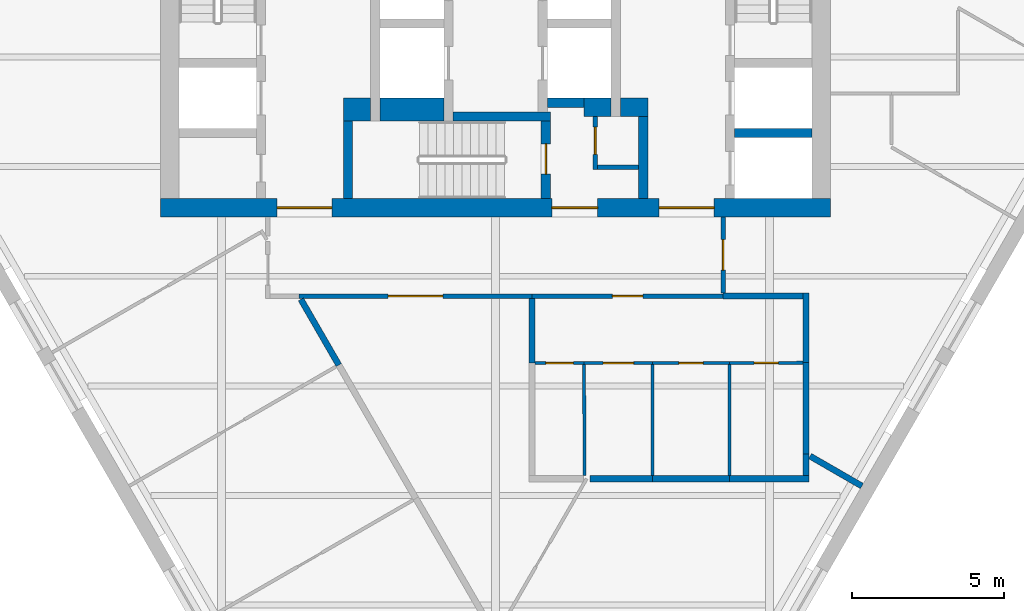
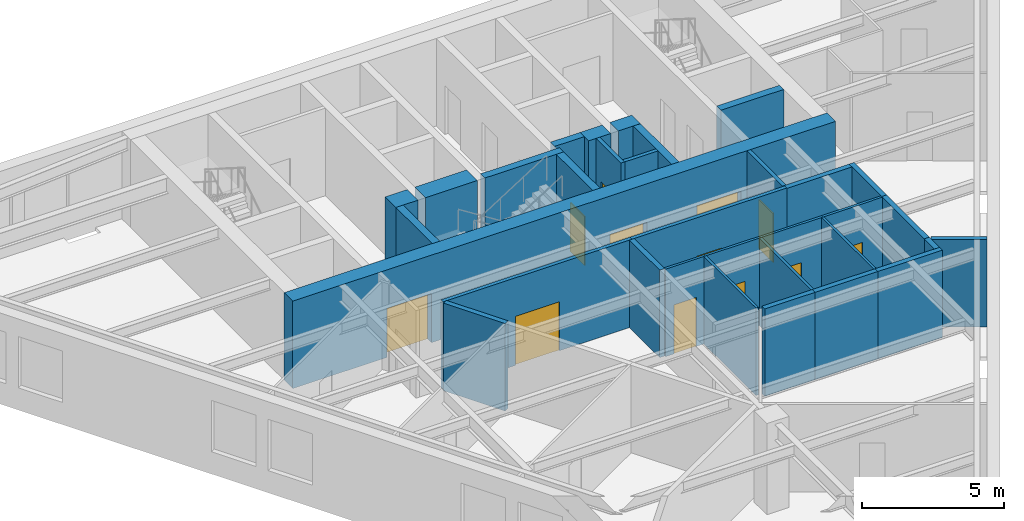
# One storey, part 3 of 7: 33 walls, 12 doors, 12 openings.
"""IFC4 building model written with IfcOpenShell, lengths in metres."""

from ifc_helpers import new_model, si_unit, direction, frame, frame_2d, origin, place, context, subcontext, project, spatial, rectangle, extrude, material, layer, layer_set, type_object, element, fill, save


model = new_model("IFC4")

# Units and contexts
model_context = context("Model", 3, precision=1e-05, world=origin(), true_north=direction((0.0, 1.0)))
body_context = subcontext(model_context, "Body", "Model", "MODEL_VIEW")
ifc_project = project(units=[si_unit("LENGTHUNIT", "METRE"), si_unit("AREAUNIT", "SQUARE_METRE"), si_unit("VOLUMEUNIT", "CUBIC_METRE"), si_unit("PLANEANGLEUNIT", "RADIAN"), si_unit("MASSUNIT", "GRAM", prefix="KILO")], contexts=[model_context])

# Site, building, storey
site_placement = place(None, origin())
site = spatial("IfcSite", under=ifc_project, at=site_placement, CompositionType="ELEMENT")
building_placement = place(site_placement, origin())
building = spatial("IfcBuilding", under=site, at=building_placement, Name="Aloe Facet Convention Tower", CompositionType="ELEMENT")
storey_placement = place(building_placement, frame((0.0, 0.0, 155.89990234375)))
storey = spatial("IfcBuildingStorey", under=building, at=storey_placement, Name="L39", CompositionType="ELEMENT", Elevation=155.89990234375)

# Wall, opening, door
ifc_material_1 = material(Name="Concrete blockwork partition", Category="masonry")
ifc_layer_1 = layer(ifc_material_1, 0.14990234375)
ifc_layer_set_1 = layer_set([ifc_layer_1], Name="CR-W-PART150")
wall_type_1 = type_object("IfcWallType", Name="CR-W-PART150", PredefinedType="PARTITIONING", material=ifc_layer_set_1)
wall_1_placement = place(storey_placement, frame((83.27490234375, 125.85009765625, 0.0), z_axis=(0.0, 0.0, 1.0), x_axis=(0.0, -1.0, 0.0)))
wall_1 = element("IfcWall", 1, at=wall_1_placement, inside=storey, type_object=wall_type_1, Name="Core partition L39-022", PredefinedType="PARTITIONING", context=body_context, shape_type="SweptSolid", body=[
    extrude(rectangle(XDim=1.75, YDim=0.14990234375, at=frame_2d((0.875, 0.0))), origin(), (0.0, 0.0, 1.0), 3.75),
])
opening_1_placement = place(wall_1_placement, frame((0.35009765625, 0.0, 0.0)))
opening_1 = element("IfcOpeningElement", 2, at=opening_1_placement, cuts=wall_1, Name="Opening L39-CD12", PredefinedType="OPENING", context=body_context, shape_type="SweptSolid", body=[
    extrude(rectangle(XDim=0.89990234375, YDim=2.10009765625, at=frame_2d((0.449951171875, 1.050048828125))), frame((0.0, 0.0849609375, 0.0), z_axis=(0.0, -1.0, 0.0), x_axis=(1.0, 0.0, 0.0)), (0.0, 0.0, 1.0), 0.169921875),
])
ifc_material_2 = material(Name="Steel fire-resisting door set FD60", Category="steel")
door_type_1 = type_object("IfcDoorType", Name="CR-D-REFUGE-900-FD60-SRIGHT", OperationType="SINGLE_SWING_RIGHT", PredefinedType="DOOR", material=ifc_material_2)
door_1_placement = place(opening_1_placement, origin())
door_1 = element("IfcDoor", 3, at=door_1_placement, inside=storey, type_object=door_type_1, Name="Core door L39-CD12", OperationType="SINGLE_SWING_RIGHT", OverallHeight=2.10009765625, OverallWidth=0.89990234375, PredefinedType="DOOR", context=body_context, shape_type="SweptSolid", body=[
    extrude(rectangle(XDim=0.89990234375, YDim=2.10009765625, at=frame_2d((0.449951171875, 1.050048828125))), frame((0.0, 0.02490234375, 0.0), z_axis=(0.0, -1.0, 0.0), x_axis=(1.0, 0.0, 0.0)), (0.0, 0.0, 1.0), 0.050048828125),
])
fill(opening_1, door_1)

# Walls
wall_2_placement = place(storey_placement, frame((83.35009765625, 124.175048828125, 0.0), z_axis=(0.0, 0.0, 1.0), x_axis=(1.0, 0.0, 0.0)))
element("IfcWall", 4, at=wall_2_placement, inside=storey, type_object=wall_type_1, Name="Core partition L39-023", PredefinedType="PARTITIONING", context=body_context, shape_type="SweptSolid", body=[
    extrude(rectangle(XDim=1.349853515625, YDim=0.14990234375, at=frame_2d((0.6748046875, 0.0))), origin(), (0.0, 0.0, 1.0), 3.75),
])
ifc_material_3 = material(Name="Concrete C60/75", Category="concrete")
ifc_layer_2 = layer(ifc_material_3, 0.300048828125)
ifc_layer_set_2 = layer_set([ifc_layer_2], Name="CR-W-RC300-C6075")
wall_type_2 = type_object("IfcWallType", Name="CR-W-RC300-C6075", PredefinedType="SOLIDWALL", material=ifc_layer_set_2)
wall_3_placement = place(storey_placement, frame((75.14990234375, 125.699951171875, 0.0), z_axis=(0.0, 0.0, 1.0), x_axis=(0.0, -1.0, 0.0)))
element("IfcWall", 5, at=wall_3_placement, inside=storey, type_object=wall_type_2, Name="Core wall L39-009", PredefinedType="SOLIDWALL", context=body_context, shape_type="SweptSolid", body=[
    extrude(rectangle(XDim=2.550048828125, YDim=0.300048828125, at=frame_2d((1.27490234375, 0.0))), origin(), (0.0, 0.0, 1.0), 3.75),
])
wall_4_placement = place(storey_placement, frame((78.60009765625, 125.85009765625, 0.0), z_axis=(0.0, 0.0, 1.0), x_axis=(1.0, 0.0, 0.0)))
element("IfcWall", 6, at=wall_4_placement, inside=storey, type_object=wall_type_2, Name="Core wall L39-015", PredefinedType="SOLIDWALL", context=body_context, shape_type="SweptSolid", body=[
    extrude(rectangle(XDim=3.199951171875, YDim=0.300048828125, at=frame_2d((1.60009765625, 0.0))), origin(), (0.0, 0.0, 1.0), 3.75),
])

# Wall, opening, door
wall_5_placement = place(storey_placement, frame((81.64990234375, 125.699951171875, 0.0), z_axis=(0.0, 0.0, 1.0), x_axis=(0.0, -1.0, 0.0)))
wall_5 = element("IfcWall", 7, at=wall_5_placement, inside=storey, type_object=wall_type_2, Name="Core wall L39-017", PredefinedType="SOLIDWALL", context=body_context, shape_type="SweptSolid", body=[
    extrude(rectangle(XDim=2.550048828125, YDim=0.300048828125, at=frame_2d((1.27490234375, 0.0))), origin(), (0.0, 0.0, 1.0), 3.75),
])
opening_2_placement = place(wall_5_placement, frame((0.75, 0.0, 0.0)))
opening_2 = element("IfcOpeningElement", 8, at=opening_2_placement, cuts=wall_5, Name="Opening L39-CD18", PredefinedType="OPENING", context=body_context, shape_type="SweptSolid", body=[
    extrude(rectangle(XDim=1.0, YDim=2.10009765625, at=frame_2d((0.5, 1.050048828125))), frame((0.0, 0.16015625, 0.0), z_axis=(0.0, -1.0, 0.0), x_axis=(1.0, 0.0, 0.0)), (0.0, 0.0, 1.0), 0.320068359375),
])
ifc_material_4 = material(Name="Steel fire-resisting door set FD120", Category="steel")
door_type_2 = type_object("IfcDoorType", Name="CR-D-STAIR-1000-FD120-SLEFT", OperationType="SINGLE_SWING_LEFT", PredefinedType="DOOR", material=ifc_material_4)
door_2_placement = place(opening_2_placement, origin())
door_2 = element("IfcDoor", 9, at=door_2_placement, inside=storey, type_object=door_type_2, Name="Core door L39-CD18", OperationType="SINGLE_SWING_LEFT", OverallHeight=2.10009765625, OverallWidth=1.0, PredefinedType="DOOR", context=body_context, shape_type="SweptSolid", body=[
    extrude(rectangle(XDim=1.0, YDim=2.10009765625, at=frame_2d((0.5, 1.050048828125))), frame((0.0, 0.02490234375, 0.0), z_axis=(0.0, -1.0, 0.0), x_axis=(1.0, 0.0, 0.0)), (0.0, 0.0, 1.0), 0.050048828125),
])
fill(opening_2, door_2)

# Walls
wall_6_placement = place(storey_placement, frame((81.699951171875, 126.300048828125, 0.0), z_axis=(0.0, 0.0, 1.0), x_axis=(1.0, 0.0, 0.0)))
element("IfcWall", 10, at=wall_6_placement, inside=storey, type_object=wall_type_2, Name="Core wall L39-020", PredefinedType="SOLIDWALL", context=body_context, shape_type="SweptSolid", body=[
    extrude(rectangle(XDim=1.199951171875, YDim=0.300048828125, at=frame_2d((0.60009765625, 0.0))), origin(), (0.0, 0.0, 1.0), 3.75),
])
wall_7_placement = place(storey_placement, frame((84.85009765625, 125.85009765625, 0.0), z_axis=(0.0, 0.0, 1.0), x_axis=(0.0, -1.0, 0.0)))
element("IfcWall", 11, at=wall_7_placement, inside=storey, type_object=wall_type_2, Name="Core wall L39-027", PredefinedType="SOLIDWALL", context=body_context, shape_type="SweptSolid", body=[
    extrude(rectangle(XDim=2.7001953125, YDim=0.300048828125, at=frame_2d((1.35009765625, 0.0))), origin(), (0.0, 0.0, 1.0), 3.75),
])
wall_8_placement = place(storey_placement, frame((87.85009765625, 125.300048828125, 0.0), z_axis=(0.0, 0.0, 1.0), x_axis=(1.0, 0.0, 0.0)))
element("IfcWall", 12, at=wall_8_placement, inside=storey, type_object=wall_type_2, Name="Core wall L39-030", PredefinedType="SOLIDWALL", context=body_context, shape_type="SweptSolid", body=[
    extrude(rectangle(XDim=2.5498046875, YDim=0.300048828125, at=frame_2d((1.27490234375, 0.0))), origin(), (0.0, 0.0, 1.0), 3.75),
])

# Wall, openings, doors
ifc_material_5 = material(Name="Concrete C60/75", Category="concrete")
ifc_layer_3 = layer(ifc_material_5, 0.60009765625)
ifc_layer_set_3 = layer_set([ifc_layer_3], Name="CR-W-RC600-C6075")
wall_type_3 = type_object("IfcWallType", Name="CR-W-RC600-C6075", PredefinedType="SOLIDWALL", material=ifc_layer_set_3)
wall_9_placement = place(storey_placement, frame((69.0, 122.85009765625, 0.0), z_axis=(0.0, 0.0, 1.0), x_axis=(1.0, 0.0, 0.0)))
wall_9 = element("IfcWall", 13, at=wall_9_placement, inside=storey, type_object=wall_type_3, Name="Core wall L39-003", PredefinedType="SOLIDWALL", context=body_context, shape_type="SweptSolid", body=[
    extrude(rectangle(XDim=22.0, YDim=0.60009765625, at=frame_2d((11.0, 0.0))), origin(), (0.0, 0.0, 1.0), 3.75),
])
opening_3_placement = place(wall_9_placement, frame((16.375, 0.0, 0.0)))
opening_3 = element("IfcOpeningElement", 14, at=opening_3_placement, cuts=wall_9, Name="Opening L39-CD09", PredefinedType="OPENING", context=body_context, shape_type="SweptSolid", body=[
    extrude(rectangle(XDim=1.800048828125, YDim=2.10009765625, at=frame_2d((0.89990234375, 1.050048828125))), frame((0.0, 0.31005859375, 0.0), z_axis=(0.0, -1.0, 0.0), x_axis=(1.0, 0.0, 0.0)), (0.0, 0.0, 1.0), 0.6201171875),
])
opening_4_placement = place(wall_9_placement, frame((3.824951171875, 0.0, 0.0)))
opening_4 = element("IfcOpeningElement", 15, at=opening_4_placement, cuts=wall_9, Name="Opening L39-CD10", PredefinedType="OPENING", context=body_context, shape_type="SweptSolid", body=[
    extrude(rectangle(XDim=1.800048828125, YDim=2.10009765625, at=frame_2d((0.89990234375, 1.050048828125))), frame((0.0, 0.31005859375, 0.0), z_axis=(0.0, -1.0, 0.0), x_axis=(1.0, 0.0, 0.0)), (0.0, 0.0, 1.0), 0.6201171875),
])
opening_5_placement = place(wall_9_placement, frame((12.85009765625, 0.0, 0.0)))
opening_5 = element("IfcOpeningElement", 16, at=opening_5_placement, cuts=wall_9, Name="Opening L39-CD11", PredefinedType="OPENING", context=body_context, shape_type="SweptSolid", body=[
    extrude(rectangle(XDim=1.5, YDim=2.10009765625, at=frame_2d((0.75, 1.050048828125))), frame((0.0, 0.31005859375, 0.0), z_axis=(0.0, -1.0, 0.0), x_axis=(1.0, 0.0, 0.0)), (0.0, 0.0, 1.0), 0.6201171875),
])
ifc_material_6 = material(Name="Steel fire-resisting door set FD60", Category="steel")
door_type_3 = type_object("IfcDoorType", Name="CR-D-EXIT-1500-FD60-DD", OperationType="DOUBLE_DOOR_DOUBLE_SWING", PredefinedType="DOOR", material=ifc_material_6)
door_3_placement = place(opening_5_placement, origin())
door_3 = element("IfcDoor", 17, at=door_3_placement, inside=storey, type_object=door_type_3, Name="Core door L39-CD11", OperationType="DOUBLE_DOOR_DOUBLE_SWING", OverallHeight=2.10009765625, OverallWidth=1.5, PredefinedType="DOOR", context=body_context, shape_type="SweptSolid", body=[
    extrude(rectangle(XDim=1.5, YDim=2.10009765625, at=frame_2d((0.75, 1.050048828125))), frame((0.0, 0.02490234375, 0.0), z_axis=(0.0, -1.0, 0.0), x_axis=(1.0, 0.0, 0.0)), (0.0, 0.0, 1.0), 0.050048828125),
])
fill(opening_5, door_3)
ifc_material_7 = material(Name="Steel fire-resisting door set FD120", Category="steel")
door_type_4 = type_object("IfcDoorType", Name="CR-D-EXIT-1800-FD120-DD", OperationType="DOUBLE_DOOR_DOUBLE_SWING", PredefinedType="DOOR", material=ifc_material_7)
door_4_placement = place(opening_3_placement, origin())
door_4 = element("IfcDoor", 18, at=door_4_placement, inside=storey, type_object=door_type_4, Name="Core door L39-CD09", OperationType="DOUBLE_DOOR_DOUBLE_SWING", OverallHeight=2.10009765625, OverallWidth=1.800048828125, PredefinedType="DOOR", context=body_context, shape_type="SweptSolid", body=[
    extrude(rectangle(XDim=1.800048828125, YDim=2.10009765625, at=frame_2d((0.89990234375, 1.050048828125))), frame((0.0, 0.02490234375, 0.0), z_axis=(0.0, -1.0, 0.0), x_axis=(1.0, 0.0, 0.0)), (0.0, 0.0, 1.0), 0.050048828125),
])
fill(opening_3, door_4)
door_5_placement = place(opening_4_placement, origin())
door_5 = element("IfcDoor", 19, at=door_5_placement, inside=storey, type_object=door_type_4, Name="Core door L39-CD10", OperationType="DOUBLE_DOOR_DOUBLE_SWING", OverallHeight=2.10009765625, OverallWidth=1.800048828125, PredefinedType="DOOR", context=body_context, shape_type="SweptSolid", body=[
    extrude(rectangle(XDim=1.800048828125, YDim=2.10009765625, at=frame_2d((0.89990234375, 1.050048828125))), frame((0.0, 0.02490234375, 0.0), z_axis=(0.0, -1.0, 0.0), x_axis=(1.0, 0.0, 0.0)), (0.0, 0.0, 1.0), 0.050048828125),
])
fill(opening_4, door_5)

# Walls
wall_10_placement = place(storey_placement, frame((82.89990234375, 126.14990234375, 0.0), z_axis=(0.0, 0.0, 1.0), x_axis=(1.0, 0.0, 0.0)))
element("IfcWall", 20, at=wall_10_placement, inside=storey, type_object=wall_type_3, Name="Core wall L39-021", PredefinedType="SOLIDWALL", context=body_context, shape_type="SweptSolid", body=[
    extrude(rectangle(XDim=0.900146484375, YDim=0.60009765625, at=frame_2d((0.4501953125, 0.0))), origin(), (0.0, 0.0, 1.0), 3.75),
])
wall_11_placement = place(storey_placement, frame((84.10009765625, 126.14990234375, 0.0), z_axis=(0.0, 0.0, 1.0), x_axis=(1.0, 0.0, 0.0)))
element("IfcWall", 21, at=wall_11_placement, inside=storey, type_object=wall_type_3, Name="Core wall L39-026", PredefinedType="SOLIDWALL", context=body_context, shape_type="SweptSolid", body=[
    extrude(rectangle(XDim=0.89990234375, YDim=0.60009765625, at=frame_2d((0.449951171875, 0.0))), origin(), (0.0, 0.0, 1.0), 3.75),
])
ifc_material_8 = material(Name="Concrete C60/75", Category="concrete")
ifc_layer_4 = layer(ifc_material_8, 0.75)
ifc_layer_set_4 = layer_set([ifc_layer_4], Name="CR-W-RC750-C6075")
wall_type_4 = type_object("IfcWallType", Name="CR-W-RC750-C6075", PredefinedType="SOLIDWALL", material=ifc_layer_set_4)
wall_12_placement = place(storey_placement, frame((75.0, 126.074951171875, 0.0), z_axis=(0.0, 0.0, 1.0), x_axis=(1.0, 0.0, 0.0)))
element("IfcWall", 22, at=wall_12_placement, inside=storey, type_object=wall_type_4, Name="Core wall L39-008", PredefinedType="SOLIDWALL", context=body_context, shape_type="SweptSolid", body=[
    extrude(rectangle(XDim=0.89990234375, YDim=0.75, at=frame_2d((0.449951171875, 0.0))), origin(), (0.0, 0.0, 1.0), 3.75),
])
wall_13_placement = place(storey_placement, frame((76.199951171875, 126.074951171875, 0.0), z_axis=(0.0, 0.0, 1.0), x_axis=(1.0, 0.0, 0.0)))
element("IfcWall", 23, at=wall_13_placement, inside=storey, type_object=wall_type_4, Name="Core wall L39-013", PredefinedType="SOLIDWALL", context=body_context, shape_type="SweptSolid", body=[
    extrude(rectangle(XDim=2.10009765625, YDim=0.75, at=frame_2d((1.050048828125, 0.0))), origin(), (0.0, 0.0, 1.0), 3.75),
])

# Wall, opening, door
ifc_material_9 = material(Name="Gypsum board partition on steel studs", Category="steel")
ifc_layer_5 = layer(ifc_material_9, 0.14990234375)
ifc_layer_set_5 = layer_set([ifc_layer_5], Name="IN-W-CORR")
wall_type_5 = type_object("IfcWallType", Name="IN-W-CORR", PredefinedType="PARTITIONING", material=ifc_layer_set_5)
wall_14_placement = place(storey_placement, frame((73.54541015625, 119.949951171875, 0.0), z_axis=(0.0, 0.0, 1.0), x_axis=(1.0, 0.0, 0.0)))
wall_14 = element("IfcWall", 24, at=wall_14_placement, inside=storey, type_object=wall_type_5, Name="Partition L39-W031", PredefinedType="PARTITIONING", context=body_context, shape_type="SweptSolid", body=[
    extrude(rectangle(XDim=7.654541015625, YDim=0.14990234375, at=frame_2d((3.8271484375, 0.0))), origin(), (0.0, 0.0, 1.0), 3.75),
])
opening_6_placement = place(wall_14_placement, frame((2.92724609375, 0.0, 0.0)))
opening_6 = element("IfcOpeningElement", 25, at=opening_6_placement, cuts=wall_14, Name="Opening L39-012", PredefinedType="OPENING", context=body_context, shape_type="SweptSolid", body=[
    extrude(rectangle(XDim=1.800048828125, YDim=2.10009765625, at=frame_2d((0.89990234375, 1.050048828125))), frame((0.0, 0.0849609375, 0.0), z_axis=(0.0, -1.0, 0.0), x_axis=(1.0, 0.0, 0.0)), (0.0, 0.0, 1.0), 0.169921875),
])
ifc_material_10 = material(Name="Glazed timber door pair FD30S", Category="wood")
door_type_5 = type_object("IfcDoorType", Name="IN-OFF-D-SUITE", OperationType="DOUBLE_DOOR_SINGLE_SWING", PredefinedType="DOOR", material=ifc_material_10)
door_6_placement = place(opening_6_placement, origin())
door_6 = element("IfcDoor", 26, at=door_6_placement, inside=storey, type_object=door_type_5, Name="Door L39-012", OperationType="SINGLE_SWING_LEFT", OverallHeight=2.10009765625, OverallWidth=1.800048828125, PredefinedType="DOOR", context=body_context, shape_type="SweptSolid", body=[
    extrude(rectangle(XDim=1.800048828125, YDim=2.10009765625, at=frame_2d((0.89990234375, 1.050048828125))), frame((0.0, 0.02490234375, 0.0), z_axis=(0.0, -1.0, 0.0), x_axis=(1.0, 0.0, 0.0)), (0.0, 0.0, 1.0), 0.050048828125),
])
fill(opening_6, door_6)

wall_15_placement = place(storey_placement, frame((81.199951171875, 119.949951171875, 0.0), z_axis=(0.0, 0.0, 1.0), x_axis=(1.0, 0.0, 0.0)))
wall_15 = element("IfcWall", 27, at=wall_15_placement, inside=storey, type_object=wall_type_5, Name="Partition L39-W034", PredefinedType="PARTITIONING", context=body_context, shape_type="SweptSolid", body=[
    extrude(rectangle(XDim=6.275146484375, YDim=0.14990234375, at=frame_2d((3.1376953125, 0.0))), origin(), (0.0, 0.0, 1.0), 3.75),
])
opening_7_placement = place(wall_15_placement, frame((2.637451171875, 0.0, 0.0)))
opening_7 = element("IfcOpeningElement", 28, at=opening_7_placement, cuts=wall_15, Name="Opening L39-001", PredefinedType="OPENING", context=body_context, shape_type="SweptSolid", body=[
    extrude(rectangle(XDim=1.0, YDim=2.10009765625, at=frame_2d((0.5, 1.050048828125))), frame((0.0, 0.0849609375, 0.0), z_axis=(0.0, -1.0, 0.0), x_axis=(1.0, 0.0, 0.0)), (0.0, 0.0, 1.0), 0.169921875),
])
ifc_material_11 = material(Name="Timber door FD30S with vision panel", Category="wood")
door_type_6 = type_object("IfcDoorType", Name="IN-OFF-D-ENTRY", OperationType="SINGLE_SWING_LEFT", PredefinedType="DOOR", material=ifc_material_11)
door_7_placement = place(opening_7_placement, origin())
door_7 = element("IfcDoor", 29, at=door_7_placement, inside=storey, type_object=door_type_6, Name="Door L39-001", OperationType="SINGLE_SWING_LEFT", OverallHeight=2.10009765625, OverallWidth=1.0, PredefinedType="DOOR", context=body_context, shape_type="SweptSolid", body=[
    extrude(rectangle(XDim=1.0, YDim=2.10009765625, at=frame_2d((0.5, 1.050048828125))), frame((0.0, 0.02490234375, 0.0), z_axis=(0.0, -1.0, 0.0), x_axis=(1.0, 0.0, 0.0)), (0.0, 0.0, 1.0), 0.050048828125),
])
fill(opening_7, door_7)

wall_16_placement = place(storey_placement, frame((87.47509765625, 120.050048828125, 0.0), z_axis=(0.0, 0.0, 1.0), x_axis=(0.0, 1.0, 0.0)))
wall_16 = element("IfcWall", 30, at=wall_16_placement, inside=storey, type_object=wall_type_5, Name="Partition L39-W040", PredefinedType="PARTITIONING", context=body_context, shape_type="SweptSolid", body=[
    extrude(rectangle(XDim=2.5, YDim=0.14990234375, at=frame_2d((1.25, 0.0))), origin(), (0.0, 0.0, 1.0), 3.75),
])
opening_8_placement = place(wall_16_placement, frame((0.75, 0.0, 0.0)))
opening_8 = element("IfcOpeningElement", 31, at=opening_8_placement, cuts=wall_16, Name="Opening L39-010", PredefinedType="OPENING", context=body_context, shape_type="SweptSolid", body=[
    extrude(rectangle(XDim=1.0, YDim=2.10009765625, at=frame_2d((0.5, 1.050048828125))), frame((0.0, 0.0849609375, 0.0), z_axis=(0.0, -1.0, 0.0), x_axis=(1.0, 0.0, 0.0)), (0.0, 0.0, 1.0), 0.169921875),
])
door_8_placement = place(opening_8_placement, origin())
door_8 = element("IfcDoor", 32, at=door_8_placement, inside=storey, type_object=door_type_6, Name="Door L39-010", OperationType="SINGLE_SWING_LEFT", OverallHeight=2.10009765625, OverallWidth=1.0, PredefinedType="DOOR", context=body_context, shape_type="SweptSolid", body=[
    extrude(rectangle(XDim=1.0, YDim=2.10009765625, at=frame_2d((0.5, 1.050048828125))), frame((0.0, 0.02490234375, 0.0), z_axis=(0.0, -1.0, 0.0), x_axis=(1.0, 0.0, 0.0)), (0.0, 0.0, 1.0), 0.050048828125),
])
fill(opening_8, door_8)

# Wall
ifc_material_12 = material(Name="Gypsum board partition on steel studs", Category="steel")
ifc_layer_6 = layer(ifc_material_12, 0.10009765625)
ifc_layer_set_6 = layer_set([ifc_layer_6], Name="IN-W-PART")
wall_type_6 = type_object("IfcWallType", Name="IN-W-PART", PredefinedType="PARTITIONING", material=ifc_layer_set_6)
wall_17_placement = place(storey_placement, frame((82.919677734375, 114.050048828125, 0.0), z_axis=(0.0, 0.0, 1.0), x_axis=(-0.002608686776, 0.999996597371, 0.0)))
element("IfcWall", 33, at=wall_17_placement, inside=storey, type_object=wall_type_6, Name="Partition L39-W022", PredefinedType="PARTITIONING", context=body_context, shape_type="SweptSolid", body=[
    extrude(rectangle(XDim=3.64990234375, YDim=0.10009765625, at=frame_2d((1.824951171875, 0.0))), origin(), (0.0, 0.0, 1.0), 3.75),
])

# Wall, opening, door
wall_18_placement = place(storey_placement, frame((81.300048828125, 117.75, 0.0), z_axis=(0.0, 0.0, 1.0), x_axis=(1.0, 0.0, 0.0)))
wall_18 = element("IfcWall", 34, at=wall_18_placement, inside=storey, type_object=wall_type_6, Name="Partition L39-W023", PredefinedType="PARTITIONING", context=body_context, shape_type="SweptSolid", body=[
    extrude(rectangle(XDim=1.60986328125, YDim=0.10009765625, at=frame_2d((0.804931640625, 0.0))), origin(), (0.0, 0.0, 1.0), 3.75),
])
opening_9_placement = place(wall_18_placement, frame((0.35498046875, 0.0, 0.0)))
opening_9 = element("IfcOpeningElement", 35, at=opening_9_placement, cuts=wall_18, Name="Opening L39-002", PredefinedType="OPENING", context=body_context, shape_type="SweptSolid", body=[
    extrude(rectangle(XDim=0.89990234375, YDim=2.10009765625, at=frame_2d((0.449951171875, 1.050048828125))), frame((0.0, 0.06005859375, 0.0), z_axis=(0.0, -1.0, 0.0), x_axis=(1.0, 0.0, 0.0)), (0.0, 0.0, 1.0), 0.1201171875),
])
ifc_material_13 = material(Name="Timber door", Category="wood")
door_type_7 = type_object("IfcDoorType", Name="IN-OFF-D-ROOM", OperationType="SINGLE_SWING_LEFT", PredefinedType="DOOR", material=ifc_material_13)
door_9_placement = place(opening_9_placement, origin())
door_9 = element("IfcDoor", 36, at=door_9_placement, inside=storey, type_object=door_type_7, Name="Door L39-002", OperationType="SINGLE_SWING_LEFT", OverallHeight=2.10009765625, OverallWidth=0.89990234375, PredefinedType="DOOR", context=body_context, shape_type="SweptSolid", body=[
    extrude(rectangle(XDim=0.89990234375, YDim=2.10009765625, at=frame_2d((0.449951171875, 1.050048828125))), frame((0.0, 0.02490234375, 0.0), z_axis=(0.0, -1.0, 0.0), x_axis=(1.0, 0.0, 0.0)), (0.0, 0.0, 1.0), 0.050048828125),
])
fill(opening_9, door_9)

# Wall
wall_19_placement = place(storey_placement, frame((85.150146484375, 114.050048828125, 0.0), z_axis=(0.0, 0.0, 1.0), x_axis=(0.002675575707, 0.999996420641, 0.0)))
element("IfcWall", 37, at=wall_19_placement, inside=storey, type_object=wall_type_6, Name="Partition L39-W024", PredefinedType="PARTITIONING", context=body_context, shape_type="SweptSolid", body=[
    extrude(rectangle(XDim=3.64990234375, YDim=0.10009765625, at=frame_2d((1.824951171875, 0.0))), origin(), (0.0, 0.0, 1.0), 3.75),
])

# Wall, opening, door
wall_20_placement = place(storey_placement, frame((82.909912109375, 117.75, 0.0), z_axis=(0.0, 0.0, 1.0), x_axis=(1.0, 0.0, 0.0)))
wall_20 = element("IfcWall", 38, at=wall_20_placement, inside=storey, type_object=wall_type_6, Name="Partition L39-W025", PredefinedType="PARTITIONING", context=body_context, shape_type="SweptSolid", body=[
    extrude(rectangle(XDim=2.25, YDim=0.10009765625, at=frame_2d((1.125, 0.0))), origin(), (0.0, 0.0, 1.0), 3.75),
])
opening_10_placement = place(wall_20_placement, frame((0.625, 0.0, 0.0)))
opening_10 = element("IfcOpeningElement", 39, at=opening_10_placement, cuts=wall_20, Name="Opening L39-003", PredefinedType="OPENING", context=body_context, shape_type="SweptSolid", body=[
    extrude(rectangle(XDim=1.0, YDim=2.10009765625, at=frame_2d((0.5, 1.050048828125))), frame((0.0, 0.06005859375, 0.0), z_axis=(0.0, -1.0, 0.0), x_axis=(1.0, 0.0, 0.0)), (0.0, 0.0, 1.0), 0.1201171875),
])
ifc_material_14 = material(Name="Timber door", Category="wood")
door_type_8 = type_object("IfcDoorType", Name="IN-OFF-D-WIDE", OperationType="SINGLE_SWING_LEFT", PredefinedType="DOOR", material=ifc_material_14)
door_10_placement = place(opening_10_placement, origin())
door_10 = element("IfcDoor", 40, at=door_10_placement, inside=storey, type_object=door_type_8, Name="Door L39-003", OperationType="SINGLE_SWING_LEFT", OverallHeight=2.10009765625, OverallWidth=1.0, PredefinedType="DOOR", context=body_context, shape_type="SweptSolid", body=[
    extrude(rectangle(XDim=1.0, YDim=2.10009765625, at=frame_2d((0.5, 1.050048828125))), frame((0.0, 0.02490234375, 0.0), z_axis=(0.0, -1.0, 0.0), x_axis=(1.0, 0.0, 0.0)), (0.0, 0.0, 1.0), 0.050048828125),
])
fill(opening_10, door_10)

# Wall
wall_21_placement = place(storey_placement, frame((87.689697265625, 114.050048828125, 0.0), z_axis=(0.0, 0.0, 1.0), x_axis=(-0.002608686776, 0.999996597371, 0.0)))
element("IfcWall", 41, at=wall_21_placement, inside=storey, type_object=wall_type_6, Name="Partition L39-W026", PredefinedType="PARTITIONING", context=body_context, shape_type="SweptSolid", body=[
    extrude(rectangle(XDim=3.64990234375, YDim=0.10009765625, at=frame_2d((1.824951171875, 0.0))), origin(), (0.0, 0.0, 1.0), 3.75),
])

# Wall, opening, door
wall_22_placement = place(storey_placement, frame((85.159912109375, 117.75, 0.0), z_axis=(0.0, 0.0, 1.0), x_axis=(1.0, 0.0, 0.0)))
wall_22 = element("IfcWall", 42, at=wall_22_placement, inside=storey, type_object=wall_type_6, Name="Partition L39-W027", PredefinedType="PARTITIONING", context=body_context, shape_type="SweptSolid", body=[
    extrude(rectangle(XDim=2.52001953125, YDim=0.10009765625, at=frame_2d((1.260009765625, 0.0))), origin(), (0.0, 0.0, 1.0), 3.75),
])
opening_11_placement = place(wall_22_placement, frame((0.860107421875, 0.0, 0.0)))
opening_11 = element("IfcOpeningElement", 43, at=opening_11_placement, cuts=wall_22, Name="Opening L39-004", PredefinedType="OPENING", context=body_context, shape_type="SweptSolid", body=[
    extrude(rectangle(XDim=0.800048828125, YDim=2.10009765625, at=frame_2d((0.39990234375, 1.050048828125))), frame((0.0, 0.06005859375, 0.0), z_axis=(0.0, -1.0, 0.0), x_axis=(1.0, 0.0, 0.0)), (0.0, 0.0, 1.0), 0.1201171875),
])
ifc_material_15 = material(Name="Timber door", Category="wood")
door_type_9 = type_object("IfcDoorType", Name="IN-OFF-D-WC", OperationType="SINGLE_SWING_LEFT", PredefinedType="DOOR", material=ifc_material_15)
door_11_placement = place(opening_11_placement, origin())
door_11 = element("IfcDoor", 44, at=door_11_placement, inside=storey, type_object=door_type_9, Name="Door L39-004", OperationType="SINGLE_SWING_LEFT", OverallHeight=2.10009765625, OverallWidth=0.800048828125, PredefinedType="DOOR", context=body_context, shape_type="SweptSolid", body=[
    extrude(rectangle(XDim=0.800048828125, YDim=2.10009765625, at=frame_2d((0.39990234375, 1.050048828125))), frame((0.0, 0.02490234375, 0.0), z_axis=(0.0, -1.0, 0.0), x_axis=(1.0, 0.0, 0.0)), (0.0, 0.0, 1.0), 0.050048828125),
])
fill(opening_11, door_11)

wall_23_placement = place(storey_placement, frame((87.679931640625, 117.75, 0.0), z_axis=(0.0, 0.0, 1.0), x_axis=(0.999992261016, 0.003934197335, 0.0)))
wall_23 = element("IfcWall", 45, at=wall_23_placement, inside=storey, type_object=wall_type_6, Name="Partition L39-W028", PredefinedType="PARTITIONING", context=body_context, shape_type="SweptSolid", body=[
    extrude(rectangle(XDim=2.420166015625, YDim=0.10009765625, at=frame_2d((1.2099609375, 0.0))), origin(), (0.0, 0.0, 1.0), 3.75),
])
opening_12_placement = place(wall_23_placement, frame((0.81005859375, 0.0, 0.0)))
opening_12 = element("IfcOpeningElement", 46, at=opening_12_placement, cuts=wall_23, Name="Opening L39-005", PredefinedType="OPENING", context=body_context, shape_type="SweptSolid", body=[
    extrude(rectangle(XDim=0.800048828125, YDim=2.10009765625, at=frame_2d((0.39990234375, 1.050048828125))), frame((0.0, 0.06005859375, 0.0), z_axis=(0.0, -1.0, 0.0), x_axis=(1.0, 0.0, 0.0)), (0.0, 0.0, 1.0), 0.1201171875),
])
door_12_placement = place(opening_12_placement, origin())
door_12 = element("IfcDoor", 47, at=door_12_placement, inside=storey, type_object=door_type_9, Name="Door L39-005", OperationType="SINGLE_SWING_LEFT", OverallHeight=2.10009765625, OverallWidth=0.800048828125, PredefinedType="DOOR", context=body_context, shape_type="SweptSolid", body=[
    extrude(rectangle(XDim=0.800048828125, YDim=2.10009765625, at=frame_2d((0.39990234375, 1.050048828125))), frame((0.0, 0.02490234375, 0.0), z_axis=(0.0, -1.0, 0.0), x_axis=(1.0, 0.0, 0.0)), (0.0, 0.0, 1.0), 0.050048828125),
])
fill(opening_12, door_12)

# Walls
ifc_material_16 = material(Name="Gypsum board partition on steel studs", Category="steel")
ifc_layer_7 = layer(ifc_material_16, 0.199951171875)
ifc_layer_set_7 = layer_set([ifc_layer_7], Name="IN-W-PARTY")
wall_type_7 = type_object("IfcWallType", Name="IN-W-PARTY", PredefinedType="PARTITIONING", material=ifc_layer_set_7)
wall_24_placement = place(storey_placement, frame((90.329833984375, 114.69287109375, 0.0), z_axis=(0.0, 0.0, 1.0), x_axis=(0.866009734793, -0.500027138508, 0.0)))
element("IfcWall", 48, at=wall_24_placement, inside=storey, type_object=wall_type_7, Name="Partition L39-W011", PredefinedType="PARTITIONING", context=body_context, shape_type="SweptSolid", body=[
    extrude(rectangle(XDim=1.96533203125, YDim=0.199951171875, at=frame_2d((0.982666015625, 0.0))), origin(), (0.0, 0.0, 1.0), 3.75),
])
wall_25_placement = place(storey_placement, frame((83.10595703125, 113.949951171875, 0.0), z_axis=(0.0, 0.0, 1.0), x_axis=(1.0, 0.0, 0.0)))
element("IfcWall", 49, at=wall_25_placement, inside=storey, type_object=wall_type_7, Name="Partition L39-W015", PredefinedType="PARTITIONING", context=body_context, shape_type="SweptSolid", body=[
    extrude(rectangle(XDim=2.0439453125, YDim=0.199951171875, at=frame_2d((1.02197265625, 0.0))), origin(), (0.0, 0.0, 1.0), 3.75),
])
wall_26_placement = place(storey_placement, frame((85.14990234375, 113.949951171875, 0.0), z_axis=(0.0, 0.0, 1.0), x_axis=(1.0, 0.0, 0.0)))
element("IfcWall", 50, at=wall_26_placement, inside=storey, type_object=wall_type_7, Name="Partition L39-W016", PredefinedType="PARTITIONING", context=body_context, shape_type="SweptSolid", body=[
    extrude(rectangle(XDim=2.5400390625, YDim=0.199951171875, at=frame_2d((1.27001953125, 0.0))), origin(), (0.0, 0.0, 1.0), 3.75),
])
wall_27_placement = place(storey_placement, frame((87.68994140625, 113.949951171875, 0.0), z_axis=(0.0, 0.0, 1.0), x_axis=(1.0, 0.0, 0.0)))
element("IfcWall", 51, at=wall_27_placement, inside=storey, type_object=wall_type_7, Name="Partition L39-W017", PredefinedType="PARTITIONING", context=body_context, shape_type="SweptSolid", body=[
    extrude(rectangle(XDim=2.60791015625, YDim=0.199951171875, at=frame_2d((1.303955078125, 0.0))), origin(), (0.0, 0.0, 1.0), 3.75),
])
wall_28_placement = place(storey_placement, frame((90.1982421875, 114.050048828125, 0.0), z_axis=(0.0, 0.0, 1.0), x_axis=(0.002380945632, 0.999997165545, 0.0)))
element("IfcWall", 52, at=wall_28_placement, inside=storey, type_object=wall_type_7, Name="Partition L39-W018", PredefinedType="PARTITIONING", context=body_context, shape_type="SweptSolid", body=[
    extrude(rectangle(XDim=0.7177734375, YDim=0.199951171875, at=frame_2d((0.35888671875, 0.0))), origin(), (0.0, 0.0, 1.0), 3.75),
])
wall_29_placement = place(storey_placement, frame((90.199951171875, 114.767822265625, 0.0), z_axis=(0.0, 0.0, 1.0), x_axis=(0.0, 1.0, 0.0)))
element("IfcWall", 53, at=wall_29_placement, inside=storey, type_object=wall_type_7, Name="Partition L39-W019", PredefinedType="PARTITIONING", context=body_context, shape_type="SweptSolid", body=[
    extrude(rectangle(XDim=2.9921875, YDim=0.199951171875, at=frame_2d((1.49609375, 0.0))), origin(), (0.0, 0.0, 1.0), 3.75),
])
wall_30_placement = place(storey_placement, frame((73.60791015625, 119.841796875, 0.0), z_axis=(0.0, 0.0, 1.0), x_axis=(0.50001949124, -0.86601415022, 0.0)))
element("IfcWall", 54, at=wall_30_placement, inside=storey, type_object=wall_type_7, Name="Partition L39-W020", PredefinedType="PARTITIONING", context=body_context, shape_type="SweptSolid", body=[
    extrude(rectangle(XDim=2.490234375, YDim=0.199951171875, at=frame_2d((1.2451171875, 0.0))), origin(), (0.0, 0.0, 1.0), 3.75),
])
wall_31_placement = place(storey_placement, frame((90.199951171875, 117.760009765625, 0.0), z_axis=(0.0, 0.0, 1.0), x_axis=(0.0, 1.0, 0.0)))
element("IfcWall", 55, at=wall_31_placement, inside=storey, type_object=wall_type_7, Name="Partition L39-W021", PredefinedType="PARTITIONING", context=body_context, shape_type="SweptSolid", body=[
    extrude(rectangle(XDim=2.2880859375, YDim=0.199951171875, at=frame_2d((1.14404296875, 0.0))), origin(), (0.0, 0.0, 1.0), 3.75),
])
wall_32_placement = place(storey_placement, frame((81.199951171875, 117.75, 0.0), z_axis=(0.0, 0.0, 1.0), x_axis=(0.0, 1.0, 0.0)))
element("IfcWall", 56, at=wall_32_placement, inside=storey, type_object=wall_type_7, Name="Partition L39-W033", PredefinedType="PARTITIONING", context=body_context, shape_type="SweptSolid", body=[
    extrude(rectangle(XDim=2.125, YDim=0.199951171875, at=frame_2d((1.0625, 0.0))), origin(), (0.0, 0.0, 1.0), 3.75),
])
wall_33_placement = place(storey_placement, frame((87.47509765625, 119.949951171875, 0.0), z_axis=(0.0, 0.0, 1.0), x_axis=(0.999999723197, -0.000744047413, 0.0)))
element("IfcWall", 57, at=wall_33_placement, inside=storey, type_object=wall_type_7, Name="Partition L39-W035", PredefinedType="PARTITIONING", context=body_context, shape_type="SweptSolid", body=[
    extrude(rectangle(XDim=2.625, YDim=0.199951171875, at=frame_2d((1.3125, 0.0))), origin(), (0.0, 0.0, 1.0), 3.75),
])

save(model, "model.ifc")
